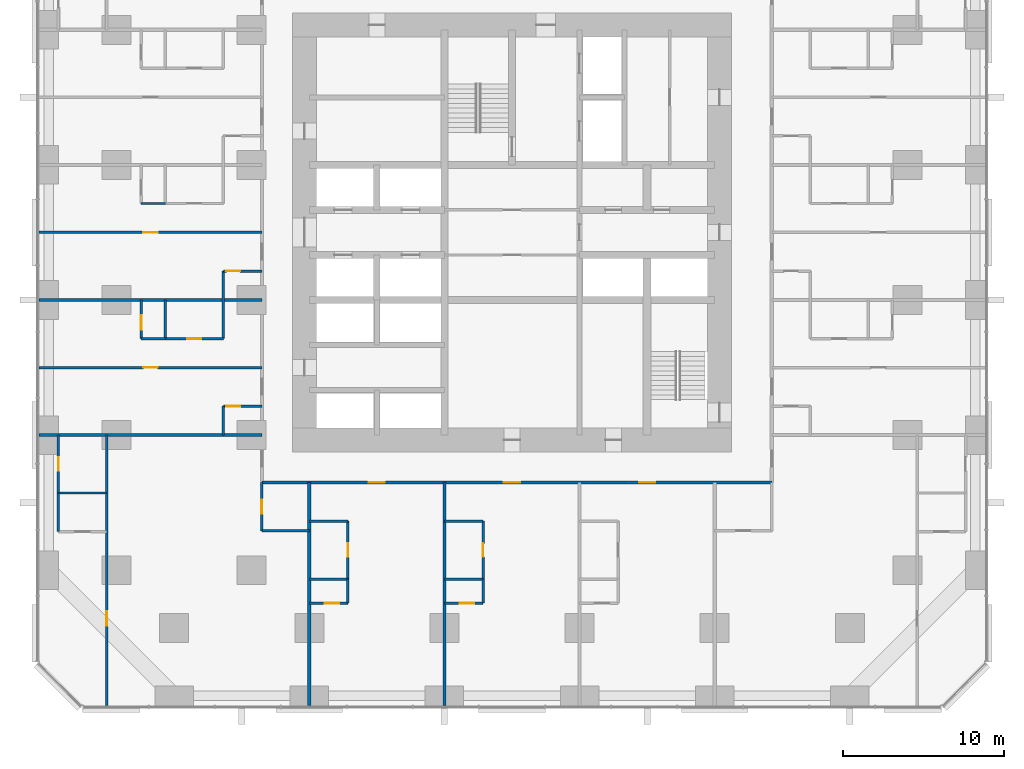
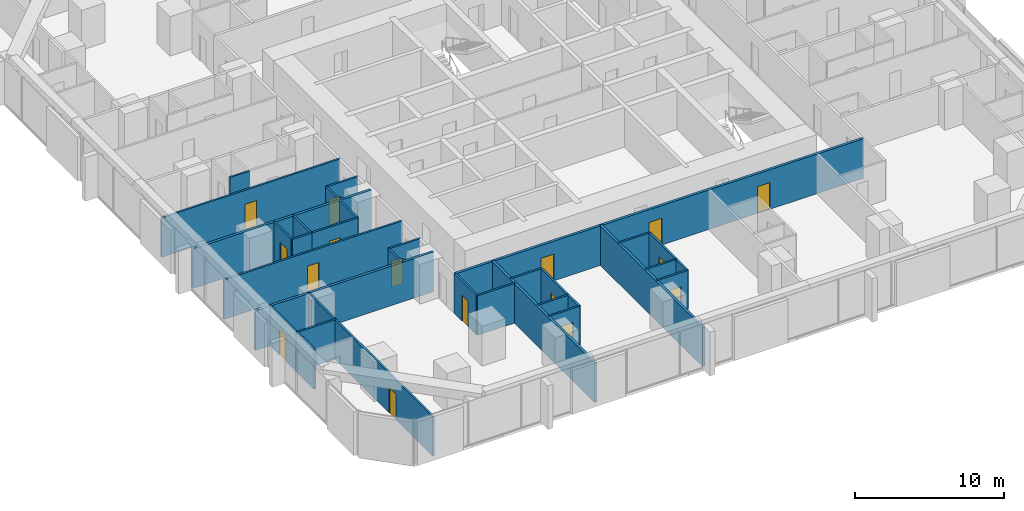
# One storey, part 11 of 17: 32 walls, 16 doors, 16 openings.
"""IFC4 building model written with IfcOpenShell, lengths in metres."""

from ifc_helpers import new_model, si_unit, direction, frame, frame_2d, origin, place, context, subcontext, project, spatial, rectangle, extrude, material, layer, layer_set, type_object, element, fill, save


model = new_model("IFC4")

# Units and contexts
model_context = context("Model", 3, precision=1e-05, world=origin(), true_north=direction((0.0, 1.0)))
body_context = subcontext(model_context, "Body", "Model", "MODEL_VIEW")
ifc_project = project(units=[si_unit("LENGTHUNIT", "METRE"), si_unit("AREAUNIT", "SQUARE_METRE"), si_unit("VOLUMEUNIT", "CUBIC_METRE"), si_unit("PLANEANGLEUNIT", "RADIAN"), si_unit("MASSUNIT", "GRAM", prefix="KILO")], contexts=[model_context])

# Site, building, storey
site_placement = place(None, origin())
site = spatial("IfcSite", under=ifc_project, at=site_placement, CompositionType="ELEMENT")
building_placement = place(site_placement, origin())
building = spatial("IfcBuilding", under=site, at=building_placement, Name="Dunama Terrace Hotel", CompositionType="ELEMENT")
storey_placement = place(building_placement, frame((0.0, 0.0, 59.39990234375)))
storey = spatial("IfcBuildingStorey", under=building, at=storey_placement, Name="L14", CompositionType="ELEMENT", Elevation=59.39990234375)

# Wall, opening, door
ifc_material_1 = material(Name="Gypsum board partition", Category="masonry")
ifc_layer_1 = layer(ifc_material_1, 0.14990234375)
ifc_layer_set_1 = layer_set([ifc_layer_1], Name="Bathroom partition 150")
wall_type_1 = type_object("IfcWallType", Name="Bathroom partition 150", PredefinedType="PARTITIONING", material=ifc_layer_set_1)
wall_1_placement = place(storey_placement, frame((1.199951171875, 13.199951171875, 0.0), z_axis=(0.0, 0.0, 1.0), x_axis=(0.0, 1.0, 0.0)))
wall_1 = element("IfcWall", 1, at=wall_1_placement, inside=storey, type_object=wall_type_1, Name="Bathroom partition 150 L14", PredefinedType="PARTITIONING", context=body_context, shape_type="SweptSolid", body=[
    extrude(rectangle(XDim=3.60009765625, YDim=0.14990234375, at=frame_2d((1.800048828125, 0.0))), origin(), (0.0, 0.0, 1.0), 3.25),
])
opening_1_placement = place(wall_1_placement, frame((1.375, 0.0, 0.0)))
opening_1 = element("IfcOpeningElement", 2, at=opening_1_placement, cuts=wall_1, Name="Opening L13-14-060", PredefinedType="OPENING", context=body_context, shape_type="SweptSolid", body=[
    extrude(rectangle(XDim=0.85009765625, YDim=2.10009765625, at=frame_2d((0.425048828125, 1.050048828125))), frame((0.0, 0.0849609375, 0.0), z_axis=(0.0, -1.0, 0.0), x_axis=(1.0, 0.0, 0.0)), (0.0, 0.0, 1.0), 0.169921875),
])
ifc_material_2 = material(Name="Timber door with steel frame", Category="steel")
door_type_1 = type_object("IfcDoorType", Name="Bathroom door 850", OperationType="SINGLE_SWING_LEFT", PredefinedType="DOOR", material=ifc_material_2)
door_1_placement = place(opening_1_placement, frame((0.85009765625, 0.0, 0.0), z_axis=(0.0, 0.0, 1.0), x_axis=(-1.0, 0.0, 0.0)))
door_1 = element("IfcDoor", 3, at=door_1_placement, inside=storey, type_object=door_type_1, Name="Door to en-suite bathroom L13-14-060, type D2", OperationType="SINGLE_SWING_LEFT", OverallHeight=2.10009765625, OverallWidth=0.85009765625, PredefinedType="DOOR", context=body_context, shape_type="SweptSolid", body=[
    extrude(rectangle(XDim=0.85009765625, YDim=2.10009765625, at=frame_2d((0.425048828125, 1.050048828125))), frame((0.0, 0.025146484375, 0.0), z_axis=(0.0, -1.0, 0.0), x_axis=(1.0, 0.0, 0.0)), (0.0, 0.0, 1.0), 0.050048828125),
])
fill(opening_1, door_1)

# Walls
wall_2_placement = place(storey_placement, frame((11.449951171875, 16.800048828125, 0.0), z_axis=(0.0, 0.0, 1.0), x_axis=(0.0, 1.0, 0.0)))
element("IfcWall", 4, at=wall_2_placement, inside=storey, type_object=wall_type_1, Name="Bathroom partition 150 L14", PredefinedType="PARTITIONING", context=body_context, shape_type="SweptSolid", body=[
    extrude(rectangle(XDim=1.800048828125, YDim=0.14990234375, at=frame_2d((0.89990234375, 0.0))), origin(), (0.0, 0.0, 1.0), 3.25),
])
wall_3_placement = place(storey_placement, frame((11.449951171875, 22.800048828125, 0.0), z_axis=(0.0, 0.0, 1.0), x_axis=(0.0, 1.0, 0.0)))
element("IfcWall", 5, at=wall_3_placement, inside=storey, type_object=wall_type_1, Name="Bathroom partition 150 L14", PredefinedType="PARTITIONING", context=body_context, shape_type="SweptSolid", body=[
    extrude(rectangle(XDim=4.199951171875, YDim=0.14990234375, at=frame_2d((2.10009765625, 0.0))), origin(), (0.0, 0.0, 1.0), 3.25),
])

# Wall, opening, door
wall_4_placement = place(storey_placement, frame((13.85009765625, 10.85009765625, 0.0), z_axis=(0.0, 0.0, 1.0), x_axis=(0.0, 1.0, 0.0)))
wall_4 = element("IfcWall", 6, at=wall_4_placement, inside=storey, type_object=wall_type_1, Name="Bathroom partition 150 L14", PredefinedType="PARTITIONING", context=body_context, shape_type="SweptSolid", body=[
    extrude(rectangle(XDim=3.0, YDim=0.14990234375, at=frame_2d((1.5, 0.0))), origin(), (0.0, 0.0, 1.0), 3.25),
])
opening_2_placement = place(wall_4_placement, frame((1.074951171875, 0.0, 0.0)))
opening_2 = element("IfcOpeningElement", 7, at=opening_2_placement, cuts=wall_4, Name="Opening L13-14-058", PredefinedType="OPENING", context=body_context, shape_type="SweptSolid", body=[
    extrude(rectangle(XDim=0.85009765625, YDim=2.10009765625, at=frame_2d((0.425048828125, 1.050048828125))), frame((0.0, 0.0849609375, 0.0), z_axis=(0.0, -1.0, 0.0), x_axis=(1.0, 0.0, 0.0)), (0.0, 0.0, 1.0), 0.169921875),
])
door_2_placement = place(opening_2_placement, frame((0.85009765625, 0.0, 0.0), z_axis=(0.0, 0.0, 1.0), x_axis=(-1.0, 0.0, 0.0)))
door_2 = element("IfcDoor", 8, at=door_2_placement, inside=storey, type_object=door_type_1, Name="Door to powder room L13-14-058, type D2", OperationType="SINGLE_SWING_LEFT", OverallHeight=2.10009765625, OverallWidth=0.85009765625, PredefinedType="DOOR", context=body_context, shape_type="SweptSolid", body=[
    extrude(rectangle(XDim=0.85009765625, YDim=2.10009765625, at=frame_2d((0.425048828125, 1.050048828125))), frame((0.0, 0.025146484375, 0.0), z_axis=(0.0, -1.0, 0.0), x_axis=(1.0, 0.0, 0.0)), (0.0, 0.0, 1.0), 0.050048828125),
])
fill(opening_2, door_2)

wall_5_placement = place(storey_placement, frame((19.199951171875, 7.85009765625, 0.0), z_axis=(0.0, 0.0, 1.0), x_axis=(0.0, 1.0, 0.0)))
wall_5 = element("IfcWall", 9, at=wall_5_placement, inside=storey, type_object=wall_type_1, Name="Bathroom partition 150 L14", PredefinedType="PARTITIONING", context=body_context, shape_type="SweptSolid", body=[
    extrude(rectangle(XDim=3.599853515625, YDim=0.14990234375, at=frame_2d((1.7998046875, 0.0))), origin(), (0.0, 0.0, 1.0), 3.25),
])
opening_3_placement = place(wall_5_placement, frame((1.375, 0.0, 0.0)))
opening_3 = element("IfcOpeningElement", 10, at=opening_3_placement, cuts=wall_5, Name="Opening L13-14-010", PredefinedType="OPENING", context=body_context, shape_type="SweptSolid", body=[
    extrude(rectangle(XDim=0.85009765625, YDim=2.10009765625, at=frame_2d((0.425048828125, 1.050048828125))), frame((0.0, 0.0849609375, 0.0), z_axis=(0.0, -1.0, 0.0), x_axis=(1.0, 0.0, 0.0)), (0.0, 0.0, 1.0), 0.169921875),
])
door_3_placement = place(opening_3_placement, origin())
door_3 = element("IfcDoor", 11, at=door_3_placement, inside=storey, type_object=door_type_1, Name="Door to en-suite bathroom L13-14-010, type D2", OperationType="SINGLE_SWING_LEFT", OverallHeight=2.10009765625, OverallWidth=0.85009765625, PredefinedType="DOOR", context=body_context, shape_type="SweptSolid", body=[
    extrude(rectangle(XDim=0.85009765625, YDim=2.10009765625, at=frame_2d((0.425048828125, 1.050048828125))), frame((0.0, 0.02490234375, 0.0), z_axis=(0.0, -1.0, 0.0), x_axis=(1.0, 0.0, 0.0)), (0.0, 0.0, 1.0), 0.050048828125),
])
fill(opening_3, door_3)

wall_6_placement = place(storey_placement, frame((27.60009765625, 7.85009765625, 0.0), z_axis=(0.0, 0.0, 1.0), x_axis=(0.0, 1.0, 0.0)))
wall_6 = element("IfcWall", 12, at=wall_6_placement, inside=storey, type_object=wall_type_1, Name="Bathroom partition 150 L14", PredefinedType="PARTITIONING", context=body_context, shape_type="SweptSolid", body=[
    extrude(rectangle(XDim=3.599853515625, YDim=0.14990234375, at=frame_2d((1.7998046875, 0.0))), origin(), (0.0, 0.0, 1.0), 3.25),
])
opening_4_placement = place(wall_6_placement, frame((1.375, 0.0, 0.0)))
opening_4 = element("IfcOpeningElement", 13, at=opening_4_placement, cuts=wall_6, Name="Opening L13-14-013", PredefinedType="OPENING", context=body_context, shape_type="SweptSolid", body=[
    extrude(rectangle(XDim=0.85009765625, YDim=2.10009765625, at=frame_2d((0.425048828125, 1.050048828125))), frame((0.0, 0.0849609375, 0.0), z_axis=(0.0, -1.0, 0.0), x_axis=(1.0, 0.0, 0.0)), (0.0, 0.0, 1.0), 0.169921875),
])
door_4_placement = place(opening_4_placement, origin())
door_4 = element("IfcDoor", 14, at=door_4_placement, inside=storey, type_object=door_type_1, Name="Door to en-suite bathroom L13-14-013, type D2", OperationType="SINGLE_SWING_LEFT", OverallHeight=2.10009765625, OverallWidth=0.85009765625, PredefinedType="DOOR", context=body_context, shape_type="SweptSolid", body=[
    extrude(rectangle(XDim=0.85009765625, YDim=2.10009765625, at=frame_2d((0.425048828125, 1.050048828125))), frame((0.0, 0.02490234375, 0.0), z_axis=(0.0, -1.0, 0.0), x_axis=(1.0, 0.0, 0.0)), (0.0, 0.0, 1.0), 0.050048828125),
])
fill(opening_4, door_4)

# Walls
wall_7_placement = place(storey_placement, frame((13.85009765625, 10.85009765625, 0.0), z_axis=(0.0, 0.0, 1.0), x_axis=(1.0, 0.0, 0.0)))
element("IfcWall", 15, at=wall_7_placement, inside=storey, type_object=wall_type_1, Name="Bathroom partition 150 L14", PredefinedType="PARTITIONING", context=body_context, shape_type="SweptSolid", body=[
    extrude(rectangle(XDim=2.949951171875, YDim=0.14990234375, at=frame_2d((1.47509765625, 0.0))), origin(), (0.0, 0.0, 1.0), 3.25),
])
wall_8_placement = place(storey_placement, frame((16.800048828125, 11.449951171875, 0.0), z_axis=(0.0, 0.0, 1.0), x_axis=(1.0, 0.0, 0.0)))
element("IfcWall", 16, at=wall_8_placement, inside=storey, type_object=wall_type_1, Name="Bathroom partition 150 L14", PredefinedType="PARTITIONING", context=body_context, shape_type="SweptSolid", body=[
    extrude(rectangle(XDim=2.39990234375, YDim=0.14990234375, at=frame_2d((1.199951171875, 0.0))), origin(), (0.0, 0.0, 1.0), 3.25),
])
wall_9_placement = place(storey_placement, frame((25.199951171875, 11.449951171875, 0.0), z_axis=(0.0, 0.0, 1.0), x_axis=(1.0, 0.0, 0.0)))
element("IfcWall", 17, at=wall_9_placement, inside=storey, type_object=wall_type_1, Name="Bathroom partition 150 L14", PredefinedType="PARTITIONING", context=body_context, shape_type="SweptSolid", body=[
    extrude(rectangle(XDim=2.400146484375, YDim=0.14990234375, at=frame_2d((1.2001953125, 0.0))), origin(), (0.0, 0.0, 1.0), 3.25),
])

# Wall, opening, door
wall_10_placement = place(storey_placement, frame((11.449951171875, 18.60009765625, 0.0), z_axis=(0.0, 0.0, 1.0), x_axis=(1.0, 0.0, 0.0)))
wall_10 = element("IfcWall", 18, at=wall_10_placement, inside=storey, type_object=wall_type_1, Name="Bathroom partition 150 L14", PredefinedType="PARTITIONING", context=body_context, shape_type="SweptSolid", body=[
    extrude(rectangle(XDim=2.400146484375, YDim=0.14990234375, at=frame_2d((1.2001953125, 0.0))), origin(), (0.0, 0.0, 1.0), 3.25),
])
opening_5_placement = place(wall_10_placement, frame((0.199951171875, 0.0, 0.0)))
opening_5 = element("IfcOpeningElement", 19, at=opening_5_placement, cuts=wall_10, Name="Opening L13-14-043", PredefinedType="OPENING", context=body_context, shape_type="SweptSolid", body=[
    extrude(rectangle(XDim=0.85009765625, YDim=2.10009765625, at=frame_2d((0.425048828125, 1.050048828125))), frame((0.0, 0.0849609375, 0.0), z_axis=(0.0, -1.0, 0.0), x_axis=(1.0, 0.0, 0.0)), (0.0, 0.0, 1.0), 0.169921875),
])
door_5_placement = place(opening_5_placement, frame((0.85009765625, 0.0, 0.0), z_axis=(0.0, 0.0, 1.0), x_axis=(-1.0, 0.0, 0.0)))
door_5 = element("IfcDoor", 20, at=door_5_placement, inside=storey, type_object=door_type_1, Name="Door to powder room L13-14-043, type D2", OperationType="SINGLE_SWING_LEFT", OverallHeight=2.10009765625, OverallWidth=0.85009765625, PredefinedType="DOOR", context=body_context, shape_type="SweptSolid", body=[
    extrude(rectangle(XDim=0.85009765625, YDim=2.10009765625, at=frame_2d((0.425048828125, 1.050048828125))), frame((0.0, 0.025146484375, 0.0), z_axis=(0.0, -1.0, 0.0), x_axis=(1.0, 0.0, 0.0)), (0.0, 0.0, 1.0), 0.050048828125),
])
fill(opening_5, door_5)

wall_11_placement = place(storey_placement, frame((7.85009765625, 22.800048828125, 0.0), z_axis=(0.0, 0.0, 1.0), x_axis=(1.0, 0.0, 0.0)))
wall_11 = element("IfcWall", 21, at=wall_11_placement, inside=storey, type_object=wall_type_1, Name="Bathroom partition 150 L14", PredefinedType="PARTITIONING", context=body_context, shape_type="SweptSolid", body=[
    extrude(rectangle(XDim=3.599853515625, YDim=0.14990234375, at=frame_2d((1.7998046875, 0.0))), origin(), (0.0, 0.0, 1.0), 3.25),
])
opening_6_placement = place(wall_11_placement, frame((1.375, 0.0, 0.0)))
opening_6 = element("IfcOpeningElement", 22, at=opening_6_placement, cuts=wall_11, Name="Opening L13-14-045", PredefinedType="OPENING", context=body_context, shape_type="SweptSolid", body=[
    extrude(rectangle(XDim=0.85009765625, YDim=2.10009765625, at=frame_2d((0.425048828125, 1.050048828125))), frame((0.0, 0.0849609375, 0.0), z_axis=(0.0, -1.0, 0.0), x_axis=(1.0, 0.0, 0.0)), (0.0, 0.0, 1.0), 0.169921875),
])
door_6_placement = place(opening_6_placement, origin())
door_6 = element("IfcDoor", 23, at=door_6_placement, inside=storey, type_object=door_type_1, Name="Door to en-suite bathroom L13-14-045, type D2", OperationType="SINGLE_SWING_LEFT", OverallHeight=2.10009765625, OverallWidth=0.85009765625, PredefinedType="DOOR", context=body_context, shape_type="SweptSolid", body=[
    extrude(rectangle(XDim=0.85009765625, YDim=2.10009765625, at=frame_2d((0.425048828125, 1.050048828125))), frame((0.0, 0.02490234375, 0.0), z_axis=(0.0, -1.0, 0.0), x_axis=(1.0, 0.0, 0.0)), (0.0, 0.0, 1.0), 0.050048828125),
])
fill(opening_6, door_6)

wall_12_placement = place(storey_placement, frame((11.449951171875, 27.0, 0.0), z_axis=(0.0, 0.0, 1.0), x_axis=(1.0, 0.0, 0.0)))
wall_12 = element("IfcWall", 24, at=wall_12_placement, inside=storey, type_object=wall_type_1, Name="Bathroom partition 150 L14", PredefinedType="PARTITIONING", context=body_context, shape_type="SweptSolid", body=[
    extrude(rectangle(XDim=2.400146484375, YDim=0.14990234375, at=frame_2d((1.2001953125, 0.0))), origin(), (0.0, 0.0, 1.0), 3.25),
])
opening_7_placement = place(wall_12_placement, frame((0.199951171875, 0.0, 0.0)))
opening_7 = element("IfcOpeningElement", 25, at=opening_7_placement, cuts=wall_12, Name="Opening L13-14-048", PredefinedType="OPENING", context=body_context, shape_type="SweptSolid", body=[
    extrude(rectangle(XDim=0.85009765625, YDim=2.10009765625, at=frame_2d((0.425048828125, 1.050048828125))), frame((0.0, 0.0849609375, 0.0), z_axis=(0.0, -1.0, 0.0), x_axis=(1.0, 0.0, 0.0)), (0.0, 0.0, 1.0), 0.169921875),
])
door_7_placement = place(opening_7_placement, frame((0.85009765625, 0.0, 0.0), z_axis=(0.0, 0.0, 1.0), x_axis=(-1.0, 0.0, 0.0)))
door_7 = element("IfcDoor", 26, at=door_7_placement, inside=storey, type_object=door_type_1, Name="Door to powder room L13-14-048, type D2", OperationType="SINGLE_SWING_LEFT", OverallHeight=2.10009765625, OverallWidth=0.85009765625, PredefinedType="DOOR", context=body_context, shape_type="SweptSolid", body=[
    extrude(rectangle(XDim=0.85009765625, YDim=2.10009765625, at=frame_2d((0.425048828125, 1.050048828125))), frame((0.0, 0.025146484375, 0.0), z_axis=(0.0, -1.0, 0.0), x_axis=(1.0, 0.0, 0.0)), (0.0, 0.0, 1.0), 0.050048828125),
])
fill(opening_7, door_7)

# Wall, openings, doors
ifc_material_3 = material(Name="Concrete blockwork", Category="masonry")
ifc_layer_2 = layer(ifc_material_3, 0.199951171875)
ifc_layer_set_2 = layer_set([ifc_layer_2], Name="Corridor partition 200")
wall_type_2 = type_object("IfcWallType", Name="Corridor partition 200", PredefinedType="PARTITIONING", material=ifc_layer_set_2)
wall_13_placement = place(storey_placement, frame((45.550048828125, 13.85009765625, 0.0), z_axis=(0.0, 0.0, 1.0), x_axis=(-1.0, 0.0, 0.0)))
wall_13 = element("IfcWall", 27, at=wall_13_placement, inside=storey, type_object=wall_type_2, Name="Corridor partition 200 L14", PredefinedType="PARTITIONING", context=body_context, shape_type="SweptSolid", body=[
    extrude(rectangle(XDim=31.699951171875, YDim=0.199951171875, at=frame_2d((15.85009765625, 0.0))), origin(), (0.0, 0.0, 1.0), 3.25),
])
opening_8_placement = place(wall_13_placement, frame((24.050048828125, 0.0, 0.0)))
opening_8 = element("IfcOpeningElement", 28, at=opening_8_placement, cuts=wall_13, Name="Opening L13-14-009", PredefinedType="OPENING", context=body_context, shape_type="SweptSolid", body=[
    extrude(rectangle(XDim=1.0, YDim=2.199951171875, at=frame_2d((0.5, 1.10009765625))), frame((0.0, 0.10986328125, 0.0), z_axis=(0.0, -1.0, 0.0), x_axis=(1.0, 0.0, 0.0)), (0.0, 0.0, 1.0), 0.219970703125),
])
opening_9_placement = place(wall_13_placement, frame((15.64990234375, 0.0, 0.0)))
opening_9 = element("IfcOpeningElement", 29, at=opening_9_placement, cuts=wall_13, Name="Opening L13-14-012", PredefinedType="OPENING", context=body_context, shape_type="SweptSolid", body=[
    extrude(rectangle(XDim=1.0, YDim=2.199951171875, at=frame_2d((0.5, 1.10009765625))), frame((0.0, 0.10986328125, 0.0), z_axis=(0.0, -1.0, 0.0), x_axis=(1.0, 0.0, 0.0)), (0.0, 0.0, 1.0), 0.219970703125),
])
opening_10_placement = place(wall_13_placement, frame((7.25, 0.0, 0.0)))
opening_10 = element("IfcOpeningElement", 30, at=opening_10_placement, cuts=wall_13, Name="Opening L13-14-015", PredefinedType="OPENING", context=body_context, shape_type="SweptSolid", body=[
    extrude(rectangle(XDim=1.0, YDim=2.199951171875, at=frame_2d((0.5, 1.10009765625))), frame((0.0, 0.10986328125, 0.0), z_axis=(0.0, -1.0, 0.0), x_axis=(1.0, 0.0, 0.0)), (0.0, 0.0, 1.0), 0.219970703125),
])
ifc_material_4 = material(Name="Timber door with steel frame", Category="steel")
door_type_2 = type_object("IfcDoorType", Name="Guest room door 1000", OperationType="SINGLE_SWING_LEFT", PredefinedType="DOOR", material=ifc_material_4)
door_8_placement = place(opening_8_placement, origin())
door_8 = element("IfcDoor", 31, at=door_8_placement, inside=storey, type_object=door_type_2, Name="Door to junior suite L13-14-009, type D1", OperationType="SINGLE_SWING_RIGHT", OverallHeight=2.199951171875, OverallWidth=1.0, PredefinedType="DOOR", context=body_context, shape_type="SweptSolid", body=[
    extrude(rectangle(XDim=1.0, YDim=2.199951171875, at=frame_2d((0.5, 1.10009765625))), frame((0.0, 0.02490234375, 0.0), z_axis=(0.0, -1.0, 0.0), x_axis=(1.0, 0.0, 0.0)), (0.0, 0.0, 1.0), 0.050048828125),
])
fill(opening_8, door_8)
door_9_placement = place(opening_9_placement, origin())
door_9 = element("IfcDoor", 32, at=door_9_placement, inside=storey, type_object=door_type_2, Name="Door to junior suite L13-14-012, type D1", OperationType="SINGLE_SWING_RIGHT", OverallHeight=2.199951171875, OverallWidth=1.0, PredefinedType="DOOR", context=body_context, shape_type="SweptSolid", body=[
    extrude(rectangle(XDim=1.0, YDim=2.199951171875, at=frame_2d((0.5, 1.10009765625))), frame((0.0, 0.02490234375, 0.0), z_axis=(0.0, -1.0, 0.0), x_axis=(1.0, 0.0, 0.0)), (0.0, 0.0, 1.0), 0.050048828125),
])
fill(opening_9, door_9)
door_10_placement = place(opening_10_placement, origin())
door_10 = element("IfcDoor", 33, at=door_10_placement, inside=storey, type_object=door_type_2, Name="Door to junior suite L13-14-015, type D1", OperationType="SINGLE_SWING_RIGHT", OverallHeight=2.199951171875, OverallWidth=1.0, PredefinedType="DOOR", context=body_context, shape_type="SweptSolid", body=[
    extrude(rectangle(XDim=1.0, YDim=2.199951171875, at=frame_2d((0.5, 1.10009765625))), frame((0.0, 0.02490234375, 0.0), z_axis=(0.0, -1.0, 0.0), x_axis=(1.0, 0.0, 0.0)), (0.0, 0.0, 1.0), 0.050048828125),
])
fill(opening_10, door_10)

# Walls
ifc_material_5 = material(Name="Concrete blockwork", Category="masonry")
ifc_layer_3 = layer(ifc_material_5, 0.199951171875)
ifc_layer_set_3 = layer_set([ifc_layer_3], Name="Party wall 200")
wall_type_3 = type_object("IfcWallType", Name="Party wall 200", PredefinedType="PARTITIONING", material=ifc_layer_set_3)
for number, where, z_axis, x_axis, name in (
    (34, (16.800048828125, -0.008056640625, 0.0), (0.0, 0.0, 1.0), (0.0, 1.0, 0.0), "Party wall 200 L14"),
    (35, (25.199951171875, -0.008056640625, 0.0), (0.0, 0.0, 1.0), (0.0, 1.0, 0.0), "Party wall 200 L14"),
    (36, (-0.008056640625, 16.800048828125, 0.0), (0.0, 0.0, 1.0), (1.0, 0.0, 0.0), "Party wall 200 L14"),
    (37, (-0.008056640625, 25.199951171875, 0.0), (0.0, 0.0, 1.0), (1.0, 0.0, 0.0), "Party wall 200 L14"),
):
    element("IfcWall", number, at=place(storey_placement, frame(where, z_axis=z_axis, x_axis=x_axis)), inside=storey, type_object=wall_type_3, Name=name, PredefinedType="PARTITIONING", context=body_context, shape_type="SweptSolid", body=[
        extrude(rectangle(XDim=13.858154296875, YDim=0.199951171875, at=frame_2d((6.92919921875, 0.0))), origin(), (0.0, 0.0, 1.0), 3.25),
    ])
ifc_material_6 = material(Name="Gypsum board partition", Category="masonry")
ifc_layer_4 = layer(ifc_material_6, 0.14990234375)
ifc_layer_set_4 = layer_set([ifc_layer_4], Name="Room partition 150")
wall_type_4 = type_object("IfcWallType", Name="Room partition 150", PredefinedType="PARTITIONING", material=ifc_layer_set_4)
wall_14_placement = place(storey_placement, frame((1.199951171875, 10.800048828125, 0.0), z_axis=(0.0, 0.0, 1.0), x_axis=(0.0, 1.0, 0.0)))
element("IfcWall", 38, at=wall_14_placement, inside=storey, type_object=wall_type_4, Name="Room partition 150 L14", PredefinedType="PARTITIONING", context=body_context, shape_type="SweptSolid", body=[
    extrude(rectangle(XDim=2.39990234375, YDim=0.14990234375, at=frame_2d((1.199951171875, 0.0))), origin(), (0.0, 0.0, 1.0), 3.25),
])

# Wall, opening, door
wall_15_placement = place(storey_placement, frame((4.199951171875, -0.008056640625, 0.0), z_axis=(0.0, 0.0, 1.0), x_axis=(0.0, 1.0, 0.0)))
wall_15 = element("IfcWall", 39, at=wall_15_placement, inside=storey, type_object=wall_type_4, Name="Room partition 150 L14", PredefinedType="PARTITIONING", context=body_context, shape_type="SweptSolid", body=[
    extrude(rectangle(XDim=16.80810546875, YDim=0.14990234375, at=frame_2d((8.404052734375, 0.0))), origin(), (0.0, 0.0, 1.0), 3.25),
])
opening_11_placement = place(wall_15_placement, frame((4.9580078125, 0.0, 0.0)))
opening_11 = element("IfcOpeningElement", 40, at=opening_11_placement, cuts=wall_15, Name="Opening L13-14-059", PredefinedType="OPENING", context=body_context, shape_type="SweptSolid", body=[
    extrude(rectangle(XDim=0.89990234375, YDim=2.10009765625, at=frame_2d((0.449951171875, 1.050048828125))), frame((0.0, 0.0849609375, 0.0), z_axis=(0.0, -1.0, 0.0), x_axis=(1.0, 0.0, 0.0)), (0.0, 0.0, 1.0), 0.169921875),
])
ifc_material_7 = material(Name="Timber door with steel frame", Category="steel")
door_type_3 = type_object("IfcDoorType", Name="Suite internal door 900", OperationType="SINGLE_SWING_LEFT", PredefinedType="DOOR", material=ifc_material_7)
door_11_placement = place(opening_11_placement, origin())
door_11 = element("IfcDoor", 41, at=door_11_placement, inside=storey, type_object=door_type_3, Name="Door to corner suite bedroom L13-14-059, type D16", OperationType="SINGLE_SWING_RIGHT", OverallHeight=2.10009765625, OverallWidth=0.89990234375, PredefinedType="DOOR", context=body_context, shape_type="SweptSolid", body=[
    extrude(rectangle(XDim=0.89990234375, YDim=2.10009765625, at=frame_2d((0.449951171875, 1.050048828125))), frame((0.0, 0.02490234375, 0.0), z_axis=(0.0, -1.0, 0.0), x_axis=(1.0, 0.0, 0.0)), (0.0, 0.0, 1.0), 0.050048828125),
])
fill(opening_11, door_11)

wall_16_placement = place(storey_placement, frame((6.35009765625, 22.800048828125, 0.0), z_axis=(0.0, 0.0, 1.0), x_axis=(0.0, 1.0, 0.0)))
wall_16 = element("IfcWall", 42, at=wall_16_placement, inside=storey, type_object=wall_type_4, Name="Room partition 150 L14", PredefinedType="PARTITIONING", context=body_context, shape_type="SweptSolid", body=[
    extrude(rectangle(XDim=2.39990234375, YDim=0.14990234375, at=frame_2d((1.199951171875, 0.0))), origin(), (0.0, 0.0, 1.0), 3.25),
])
opening_12_placement = place(wall_16_placement, frame((0.550048828125, 0.0, 0.0)))
opening_12 = element("IfcOpeningElement", 43, at=opening_12_placement, cuts=wall_16, Name="Opening L13-14-046", PredefinedType="OPENING", context=body_context, shape_type="SweptSolid", body=[
    extrude(rectangle(XDim=0.89990234375, YDim=2.10009765625, at=frame_2d((0.449951171875, 1.050048828125))), frame((0.0, 0.0849609375, 0.0), z_axis=(0.0, -1.0, 0.0), x_axis=(1.0, 0.0, 0.0)), (0.0, 0.0, 1.0), 0.169921875),
])
door_12_placement = place(opening_12_placement, frame((0.89990234375, 0.0, 0.0), z_axis=(0.0, 0.0, 1.0), x_axis=(-1.0, 0.0, 0.0)))
door_12 = element("IfcDoor", 44, at=door_12_placement, inside=storey, type_object=door_type_3, Name="Door to walk-in wardrobe L13-14-046, type D16", OperationType="SINGLE_SWING_RIGHT", OverallHeight=2.10009765625, OverallWidth=0.89990234375, PredefinedType="DOOR", context=body_context, shape_type="SweptSolid", body=[
    extrude(rectangle(XDim=0.89990234375, YDim=2.10009765625, at=frame_2d((0.449951171875, 1.050048828125))), frame((0.0, 0.025146484375, 0.0), z_axis=(0.0, -1.0, 0.0), x_axis=(1.0, 0.0, 0.0)), (0.0, 0.0, 1.0), 0.050048828125),
])
fill(opening_12, door_12)

# Walls
wall_17_placement = place(storey_placement, frame((7.85009765625, 22.800048828125, 0.0), z_axis=(0.0, 0.0, 1.0), x_axis=(0.0, 1.0, 0.0)))
element("IfcWall", 45, at=wall_17_placement, inside=storey, type_object=wall_type_4, Name="Room partition 150 L14", PredefinedType="PARTITIONING", context=body_context, shape_type="SweptSolid", body=[
    extrude(rectangle(XDim=2.39990234375, YDim=0.14990234375, at=frame_2d((1.199951171875, 0.0))), origin(), (0.0, 0.0, 1.0), 3.25),
])
for number, where, z_axis, x_axis, name in (
    (46, (19.199951171875, 6.35009765625, 0.0), (0.0, 0.0, 1.0), (0.0, 1.0, 0.0), "Room partition 150 L14"),
    (47, (27.60009765625, 6.35009765625, 0.0), (0.0, 0.0, 1.0), (0.0, 1.0, 0.0), "Room partition 150 L14"),
):
    element("IfcWall", number, at=place(storey_placement, frame(where, z_axis=z_axis, x_axis=x_axis)), inside=storey, type_object=wall_type_4, Name=name, PredefinedType="PARTITIONING", context=body_context, shape_type="SweptSolid", body=[
        extrude(rectangle(XDim=1.5, YDim=0.14990234375, at=frame_2d((0.75, 0.0))), origin(), (0.0, 0.0, 1.0), 3.25),
    ])

# Wall, opening, door
wall_18_placement = place(storey_placement, frame((16.800048828125, 6.35009765625, 0.0), z_axis=(0.0, 0.0, 1.0), x_axis=(1.0, 0.0, 0.0)))
wall_18 = element("IfcWall", 48, at=wall_18_placement, inside=storey, type_object=wall_type_4, Name="Room partition 150 L14", PredefinedType="PARTITIONING", context=body_context, shape_type="SweptSolid", body=[
    extrude(rectangle(XDim=2.39990234375, YDim=0.14990234375, at=frame_2d((1.199951171875, 0.0))), origin(), (0.0, 0.0, 1.0), 3.25),
])
opening_13_placement = place(wall_18_placement, frame((0.949951171875, 0.0, 0.0)))
opening_13 = element("IfcOpeningElement", 49, at=opening_13_placement, cuts=wall_18, Name="Opening L13-14-011", PredefinedType="OPENING", context=body_context, shape_type="SweptSolid", body=[
    extrude(rectangle(XDim=0.89990234375, YDim=2.10009765625, at=frame_2d((0.449951171875, 1.050048828125))), frame((0.0, 0.0849609375, 0.0), z_axis=(0.0, -1.0, 0.0), x_axis=(1.0, 0.0, 0.0)), (0.0, 0.0, 1.0), 0.169921875),
])
door_13_placement = place(opening_13_placement, origin())
door_13 = element("IfcDoor", 50, at=door_13_placement, inside=storey, type_object=door_type_3, Name="Door to walk-in wardrobe L13-14-011, type D16", OperationType="SINGLE_SWING_RIGHT", OverallHeight=2.10009765625, OverallWidth=0.89990234375, PredefinedType="DOOR", context=body_context, shape_type="SweptSolid", body=[
    extrude(rectangle(XDim=0.89990234375, YDim=2.10009765625, at=frame_2d((0.449951171875, 1.050048828125))), frame((0.0, 0.02490234375, 0.0), z_axis=(0.0, -1.0, 0.0), x_axis=(1.0, 0.0, 0.0)), (0.0, 0.0, 1.0), 0.050048828125),
])
fill(opening_13, door_13)

wall_19_placement = place(storey_placement, frame((25.199951171875, 6.35009765625, 0.0), z_axis=(0.0, 0.0, 1.0), x_axis=(1.0, 0.0, 0.0)))
wall_19 = element("IfcWall", 51, at=wall_19_placement, inside=storey, type_object=wall_type_4, Name="Room partition 150 L14", PredefinedType="PARTITIONING", context=body_context, shape_type="SweptSolid", body=[
    extrude(rectangle(XDim=2.400146484375, YDim=0.14990234375, at=frame_2d((1.2001953125, 0.0))), origin(), (0.0, 0.0, 1.0), 3.25),
])
opening_14_placement = place(wall_19_placement, frame((0.949951171875, 0.0, 0.0)))
opening_14 = element("IfcOpeningElement", 52, at=opening_14_placement, cuts=wall_19, Name="Opening L13-14-014", PredefinedType="OPENING", context=body_context, shape_type="SweptSolid", body=[
    extrude(rectangle(XDim=0.89990234375, YDim=2.10009765625, at=frame_2d((0.449951171875, 1.050048828125))), frame((0.0, 0.0849609375, 0.0), z_axis=(0.0, -1.0, 0.0), x_axis=(1.0, 0.0, 0.0)), (0.0, 0.0, 1.0), 0.169921875),
])
door_14_placement = place(opening_14_placement, origin())
door_14 = element("IfcDoor", 53, at=door_14_placement, inside=storey, type_object=door_type_3, Name="Door to walk-in wardrobe L13-14-014, type D16", OperationType="SINGLE_SWING_RIGHT", OverallHeight=2.10009765625, OverallWidth=0.89990234375, PredefinedType="DOOR", context=body_context, shape_type="SweptSolid", body=[
    extrude(rectangle(XDim=0.89990234375, YDim=2.10009765625, at=frame_2d((0.449951171875, 1.050048828125))), frame((0.0, 0.02490234375, 0.0), z_axis=(0.0, -1.0, 0.0), x_axis=(1.0, 0.0, 0.0)), (0.0, 0.0, 1.0), 0.050048828125),
])
fill(opening_14, door_14)

# Walls
wall_20_placement = place(storey_placement, frame((16.800048828125, 7.85009765625, 0.0), z_axis=(0.0, 0.0, 1.0), x_axis=(1.0, 0.0, 0.0)))
element("IfcWall", 54, at=wall_20_placement, inside=storey, type_object=wall_type_4, Name="Room partition 150 L14", PredefinedType="PARTITIONING", context=body_context, shape_type="SweptSolid", body=[
    extrude(rectangle(XDim=2.39990234375, YDim=0.14990234375, at=frame_2d((1.199951171875, 0.0))), origin(), (0.0, 0.0, 1.0), 3.25),
])
wall_21_placement = place(storey_placement, frame((25.199951171875, 7.85009765625, 0.0), z_axis=(0.0, 0.0, 1.0), x_axis=(1.0, 0.0, 0.0)))
element("IfcWall", 55, at=wall_21_placement, inside=storey, type_object=wall_type_4, Name="Room partition 150 L14", PredefinedType="PARTITIONING", context=body_context, shape_type="SweptSolid", body=[
    extrude(rectangle(XDim=2.400146484375, YDim=0.14990234375, at=frame_2d((1.2001953125, 0.0))), origin(), (0.0, 0.0, 1.0), 3.25),
])
wall_22_placement = place(storey_placement, frame((1.199951171875, 13.199951171875, 0.0), z_axis=(0.0, 0.0, 1.0), x_axis=(1.0, 0.0, 0.0)))
element("IfcWall", 56, at=wall_22_placement, inside=storey, type_object=wall_type_4, Name="Room partition 150 L14", PredefinedType="PARTITIONING", context=body_context, shape_type="SweptSolid", body=[
    extrude(rectangle(XDim=3.0, YDim=0.14990234375, at=frame_2d((1.5, 0.0))), origin(), (0.0, 0.0, 1.0), 3.25),
])

# Wall, opening, door
wall_23_placement = place(storey_placement, frame((-0.008056640625, 21.0, 0.0), z_axis=(0.0, 0.0, 1.0), x_axis=(1.0, 0.0, 0.0)))
wall_23 = element("IfcWall", 57, at=wall_23_placement, inside=storey, type_object=wall_type_4, Name="Room partition 150 L14", PredefinedType="PARTITIONING", context=body_context, shape_type="SweptSolid", body=[
    extrude(rectangle(XDim=13.858154296875, YDim=0.14990234375, at=frame_2d((6.92919921875, 0.0))), origin(), (0.0, 0.0, 1.0), 3.25),
])
opening_15_placement = place(wall_23_placement, frame((6.48291015625, 0.0, 0.0)))
opening_15 = element("IfcOpeningElement", 58, at=opening_15_placement, cuts=wall_23, Name="Opening L13-14-044", PredefinedType="OPENING", context=body_context, shape_type="SweptSolid", body=[
    extrude(rectangle(XDim=0.89990234375, YDim=2.10009765625, at=frame_2d((0.449951171875, 1.050048828125))), frame((0.0, 0.0849609375, 0.0), z_axis=(0.0, -1.0, 0.0), x_axis=(1.0, 0.0, 0.0)), (0.0, 0.0, 1.0), 0.169921875),
])
door_15_placement = place(opening_15_placement, origin())
door_15 = element("IfcDoor", 59, at=door_15_placement, inside=storey, type_object=door_type_3, Name="Door to executive suite bedroom L13-14-044, type D16", OperationType="SINGLE_SWING_LEFT", OverallHeight=2.10009765625, OverallWidth=0.89990234375, PredefinedType="DOOR", context=body_context, shape_type="SweptSolid", body=[
    extrude(rectangle(XDim=0.89990234375, YDim=2.10009765625, at=frame_2d((0.449951171875, 1.050048828125))), frame((0.0, 0.02490234375, 0.0), z_axis=(0.0, -1.0, 0.0), x_axis=(1.0, 0.0, 0.0)), (0.0, 0.0, 1.0), 0.050048828125),
])
fill(opening_15, door_15)

# Wall
wall_24_placement = place(storey_placement, frame((6.35009765625, 22.800048828125, 0.0), z_axis=(0.0, 0.0, 1.0), x_axis=(1.0, 0.0, 0.0)))
element("IfcWall", 60, at=wall_24_placement, inside=storey, type_object=wall_type_4, Name="Room partition 150 L14", PredefinedType="PARTITIONING", context=body_context, shape_type="SweptSolid", body=[
    extrude(rectangle(XDim=1.5, YDim=0.14990234375, at=frame_2d((0.75, 0.0))), origin(), (0.0, 0.0, 1.0), 3.25),
])

# Wall, opening, door
wall_25_placement = place(storey_placement, frame((-0.008056640625, 29.39990234375, 0.0), z_axis=(0.0, 0.0, 1.0), x_axis=(1.0, 0.0, 0.0)))
wall_25 = element("IfcWall", 61, at=wall_25_placement, inside=storey, type_object=wall_type_4, Name="Room partition 150 L14", PredefinedType="PARTITIONING", context=body_context, shape_type="SweptSolid", body=[
    extrude(rectangle(XDim=13.858154296875, YDim=0.14990234375, at=frame_2d((6.92919921875, 0.0))), origin(), (0.0, 0.0, 1.0), 3.25),
])
opening_16_placement = place(wall_25_placement, frame((6.48291015625, 0.0, 0.0)))
opening_16 = element("IfcOpeningElement", 62, at=opening_16_placement, cuts=wall_25, Name="Opening L13-14-049", PredefinedType="OPENING", context=body_context, shape_type="SweptSolid", body=[
    extrude(rectangle(XDim=0.89990234375, YDim=2.10009765625, at=frame_2d((0.449951171875, 1.050048828125))), frame((0.0, 0.0849609375, 0.0), z_axis=(0.0, -1.0, 0.0), x_axis=(1.0, 0.0, 0.0)), (0.0, 0.0, 1.0), 0.169921875),
])
door_16_placement = place(opening_16_placement, origin())
door_16 = element("IfcDoor", 63, at=door_16_placement, inside=storey, type_object=door_type_3, Name="Door to executive suite bedroom L13-14-049, type D16", OperationType="SINGLE_SWING_LEFT", OverallHeight=2.10009765625, OverallWidth=0.89990234375, PredefinedType="DOOR", context=body_context, shape_type="SweptSolid", body=[
    extrude(rectangle(XDim=0.89990234375, YDim=2.10009765625, at=frame_2d((0.449951171875, 1.050048828125))), frame((0.0, 0.02490234375, 0.0), z_axis=(0.0, -1.0, 0.0), x_axis=(1.0, 0.0, 0.0)), (0.0, 0.0, 1.0), 0.050048828125),
])
fill(opening_16, door_16)

# Wall
wall_26_placement = place(storey_placement, frame((6.35009765625, 31.199951171875, 0.0), z_axis=(0.0, 0.0, 1.0), x_axis=(1.0, 0.0, 0.0)))
element("IfcWall", 64, at=wall_26_placement, inside=storey, type_object=wall_type_4, Name="Room partition 150 L14", PredefinedType="PARTITIONING", context=body_context, shape_type="SweptSolid", body=[
    extrude(rectangle(XDim=1.5, YDim=0.14990234375, at=frame_2d((0.75, 0.0))), origin(), (0.0, 0.0, 1.0), 3.25),
])

save(model, "model.ifc")
